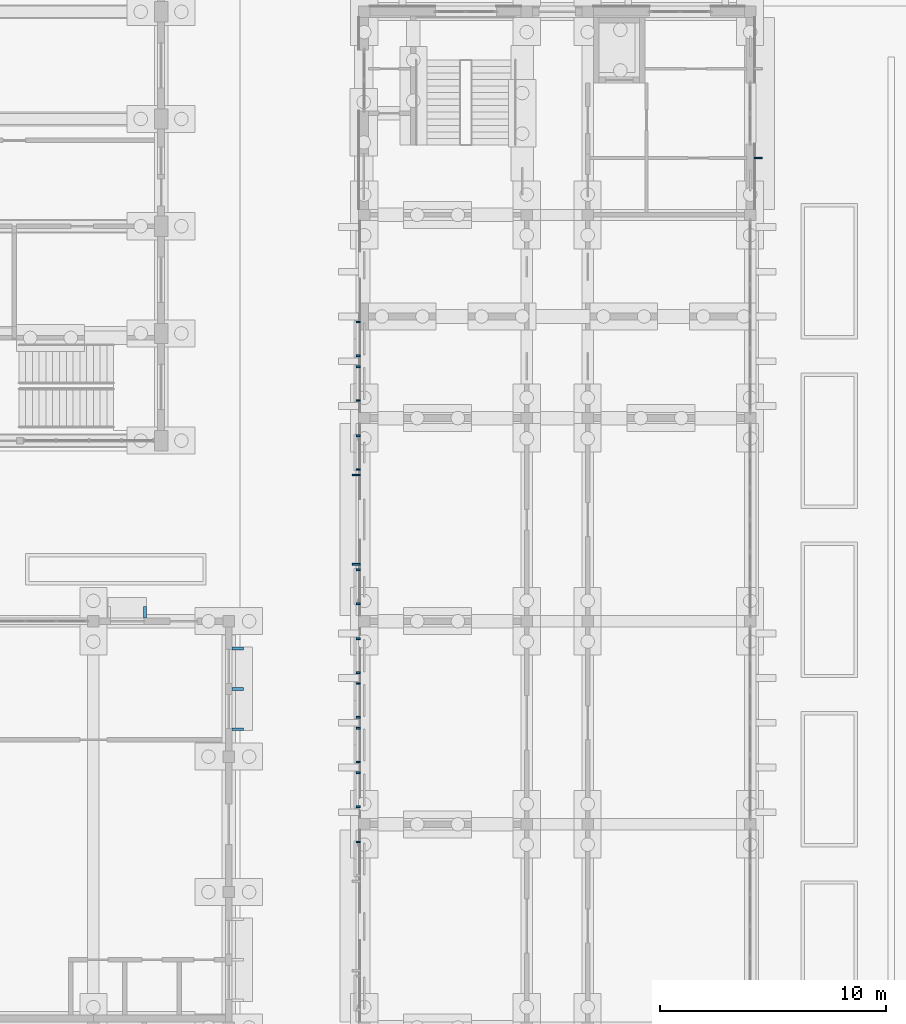
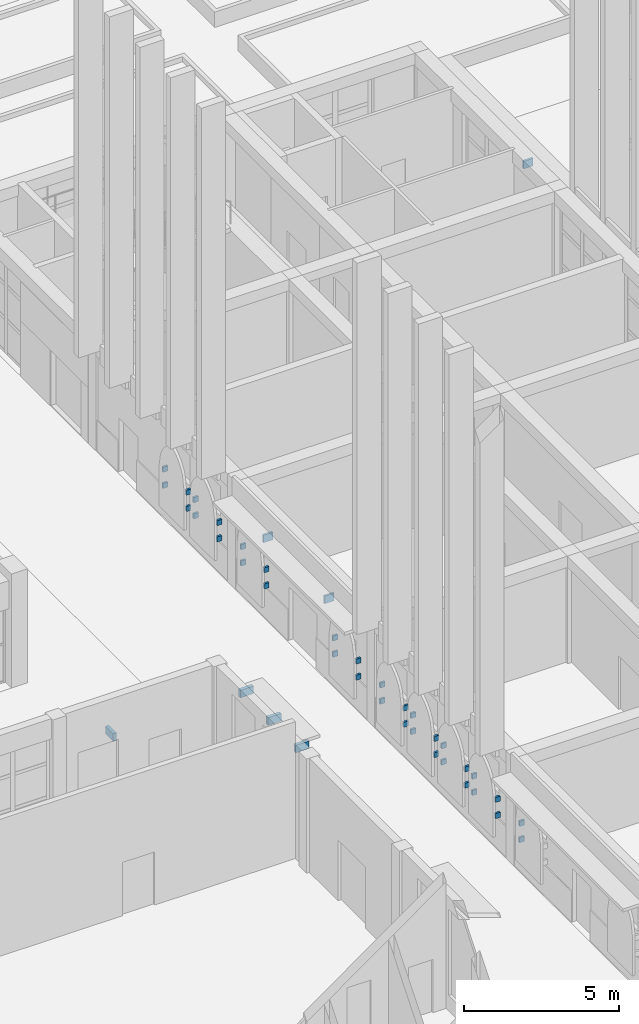
# One storey, part 80 of 161: 41 discrete accessories.
"""IFC4 building model written with IfcOpenShell, lengths in metres."""

from ifc_helpers import new_model, si_unit, direction, frame, origin, origin_2d, place, context, subcontext, project, spatial, rectangle, extrude, material, type_object, element, save


model = new_model("IFC4")

# Units and contexts
model_context = context("Model", 3, precision=1e-05, world=origin(), true_north=direction((0.0, 1.0)))
body_context = subcontext(model_context, "Body", "Model", "MODEL_VIEW")
ifc_project = project(units=[si_unit("LENGTHUNIT", "METRE"), si_unit("AREAUNIT", "SQUARE_METRE"), si_unit("VOLUMEUNIT", "CUBIC_METRE"), si_unit("PLANEANGLEUNIT", "RADIAN"), si_unit("MASSUNIT", "GRAM", prefix="KILO")], contexts=[model_context])

# Site, building, storey
site_placement = place(None, origin())
site = spatial("IfcSite", under=ifc_project, at=site_placement, CompositionType="ELEMENT")
building_placement = place(site_placement, origin())
building = spatial("IfcBuilding", under=site, at=building_placement, Name="Elbe Cascade School", CompositionType="ELEMENT")
storey_placement = place(building_placement, origin())
storey = spatial("IfcBuildingStorey", under=building, at=storey_placement, Name="L00", CompositionType="ELEMENT", Elevation=0.0)

# Discrete accessories
ifc_material_1 = material(Name="Steel S355J2, hot-dip galvanised", Category="steel")
discrete_accessory_type_1 = type_object("IfcDiscreteAccessoryType", Name="Bars envelope Bracket, galvanised steel", PredefinedType="BRACKET", material=ifc_material_1)
for number, where, z_axis, x_axis, name in (
    (1, (68.72998046875, 23.219970703125, 1.2998046875), (0.0, 0.0, 1.0), (0.0, 1.0, 0.0), "Bracket AC7 jali.w.2.br4rl"),
    (2, (68.72998046875, 23.219970703125, 1.93994140625), (0.0, 0.0, 1.0), (0.0, 1.0, 0.0), "Bracket AC7 jali.w.2.br4ru"),
    (3, (68.72998046875, 24.780029296875, 1.2998046875), (0.0, 0.0, 1.0), (0.0, 1.0, 0.0), "Bracket AC7 jali.w.3.br1ll"),
    (4, (68.72998046875, 24.780029296875, 1.93994140625), (0.0, 0.0, 1.0), (0.0, 1.0, 0.0), "Bracket AC7 jali.w.3.br1lu"),
    (5, (68.72998046875, 26.280029296875, 1.2998046875), (0.0, 0.0, 1.0), (0.0, 1.0, 0.0), "Bracket AC7 jali.w.3.br1rl"),
    (6, (68.72998046875, 26.280029296875, 1.93994140625), (0.0, 0.0, 1.0), (0.0, 1.0, 0.0), "Bracket AC7 jali.w.3.br1ru"),
    (7, (68.72998046875, 26.760009765625, 1.2998046875), (0.0, 0.0, 1.0), (0.0, 1.0, 0.0), "Bracket AC7 jali.w.3.br2ll"),
    (8, (68.72998046875, 26.760009765625, 1.93994140625), (0.0, 0.0, 1.0), (0.0, 1.0, 0.0), "Bracket AC7 jali.w.3.br2lu"),
    (9, (68.72998046875, 28.260009765625, 1.2998046875), (0.0, 0.0, 1.0), (0.0, 1.0, 0.0), "Bracket AC7 jali.w.3.br2rl"),
    (10, (68.72998046875, 28.260009765625, 1.93994140625), (0.0, 0.0, 1.0), (0.0, 1.0, 0.0), "Bracket AC7 jali.w.3.br2ru"),
    (11, (68.72998046875, 28.739990234375, 1.2998046875), (0.0, 0.0, 1.0), (0.0, 1.0, 0.0), "Bracket AC7 jali.w.3.br3ll"),
    (12, (68.72998046875, 28.739990234375, 1.93994140625), (0.0, 0.0, 1.0), (0.0, 1.0, 0.0), "Bracket AC7 jali.w.3.br3lu"),
    (13, (68.72998046875, 30.239990234375, 1.2998046875), (0.0, 0.0, 1.0), (0.0, 1.0, 0.0), "Bracket AC7 jali.w.3.br3rl"),
    (14, (68.72998046875, 30.239990234375, 1.93994140625), (0.0, 0.0, 1.0), (0.0, 1.0, 0.0), "Bracket AC7 jali.w.3.br3ru"),
    (15, (68.72998046875, 30.719970703125, 1.2998046875), (0.0, 0.0, 1.0), (0.0, 1.0, 0.0), "Bracket AC7 jali.w.3.br4ll"),
    (16, (68.72998046875, 30.719970703125, 1.93994140625), (0.0, 0.0, 1.0), (0.0, 1.0, 0.0), "Bracket AC7 jali.w.3.br4lu"),
    (17, (68.72998046875, 32.219970703125, 1.2998046875), (0.0, 0.0, 1.0), (0.0, 1.0, 0.0), "Bracket AC7 jali.w.3.br4rl"),
    (18, (68.72998046875, 32.219970703125, 1.93994140625), (0.0, 0.0, 1.0), (0.0, 1.0, 0.0), "Bracket AC7 jali.w.3.br4ru"),
):
    element("IfcDiscreteAccessory", number, at=place(storey_placement, frame(where, z_axis=z_axis, x_axis=x_axis)), inside=storey, type_object=discrete_accessory_type_1, Name=name, PredefinedType="BRACKET", context=body_context, shape_type="SweptSolid", body=[
        extrude(rectangle(XDim=0.080078125, YDim=0.179931640625, at=origin_2d()), origin(), (0.0, 0.0, 1.0), 0.199951171875),
    ])
for number, where, z_axis, x_axis, name in (
    (19, (68.64501953125, 35.52001953125, 3.330078125), (0.0, 0.0, 1.0), (0.0, 1.0, 0.0), "Bracket AC7 eave.w.4.br1"),
    (20, (68.64501953125, 39.47998046875, 3.330078125), (0.0, 0.0, 1.0), (0.0, 1.0, 0.0), "Bracket AC7 eave.w.4.br2"),
):
    element("IfcDiscreteAccessory", number, at=place(storey_placement, frame(where, z_axis=z_axis, x_axis=x_axis)), inside=storey, type_object=discrete_accessory_type_1, Name=name, PredefinedType="BRACKET", context=body_context, shape_type="SweptSolid", body=[
        extrude(rectangle(XDim=0.080078125, YDim=0.35009765625, at=origin_2d()), origin(), (0.0, 0.0, 1.0), 0.300048828125),
    ])
for number, where, z_axis, x_axis, name in (
    (21, (68.72998046875, 33.780029296875, 1.2998046875), (0.0, 0.0, 1.0), (0.0, 1.0, 0.0), "Bracket AC7 jali.w.4.br1ll"),
    (22, (68.72998046875, 33.780029296875, 1.93994140625), (0.0, 0.0, 1.0), (0.0, 1.0, 0.0), "Bracket AC7 jali.w.4.br1lu"),
    (23, (68.72998046875, 35.280029296875, 1.2998046875), (0.0, 0.0, 1.0), (0.0, 1.0, 0.0), "Bracket AC7 jali.w.4.br1rl"),
    (24, (68.72998046875, 35.280029296875, 1.93994140625), (0.0, 0.0, 1.0), (0.0, 1.0, 0.0), "Bracket AC7 jali.w.4.br1ru"),
    (25, (68.72998046875, 39.719970703125, 1.2998046875), (0.0, 0.0, 1.0), (0.0, 1.0, 0.0), "Bracket AC7 jali.w.4.br4ll"),
    (26, (68.72998046875, 39.719970703125, 1.93994140625), (0.0, 0.0, 1.0), (0.0, 1.0, 0.0), "Bracket AC7 jali.w.4.br4lu"),
    (27, (68.72998046875, 41.219970703125, 1.2998046875), (0.0, 0.0, 1.0), (0.0, 1.0, 0.0), "Bracket AC7 jali.w.4.br4rl"),
    (28, (68.72998046875, 41.219970703125, 1.93994140625), (0.0, 0.0, 1.0), (0.0, 1.0, 0.0), "Bracket AC7 jali.w.4.br4ru"),
    (29, (68.72998046875, 42.780029296875, 1.2998046875), (0.0, 0.0, 1.0), (0.0, 1.0, 0.0), "Bracket AC7 jali.w.5.br1ll"),
    (30, (68.72998046875, 42.780029296875, 1.93994140625), (0.0, 0.0, 1.0), (0.0, 1.0, 0.0), "Bracket AC7 jali.w.5.br1lu"),
    (31, (68.72998046875, 44.280029296875, 1.2998046875), (0.0, 0.0, 1.0), (0.0, 1.0, 0.0), "Bracket AC7 jali.w.5.br1rl"),
    (32, (68.72998046875, 44.280029296875, 1.93994140625), (0.0, 0.0, 1.0), (0.0, 1.0, 0.0), "Bracket AC7 jali.w.5.br1ru"),
    (33, (68.72998046875, 44.760009765625, 1.2998046875), (0.0, 0.0, 1.0), (0.0, 1.0, 0.0), "Bracket AC7 jali.w.5.br2ll"),
    (34, (68.72998046875, 44.760009765625, 1.93994140625), (0.0, 0.0, 1.0), (0.0, 1.0, 0.0), "Bracket AC7 jali.w.5.br2lu"),
    (35, (68.72998046875, 46.260009765625, 1.2998046875), (0.0, 0.0, 1.0), (0.0, 1.0, 0.0), "Bracket AC7 jali.w.5.br2rl"),
    (36, (68.72998046875, 46.260009765625, 1.93994140625), (0.0, 0.0, 1.0), (0.0, 1.0, 0.0), "Bracket AC7 jali.w.5.br2ru"),
):
    element("IfcDiscreteAccessory", number, at=place(storey_placement, frame(where, z_axis=z_axis, x_axis=x_axis)), inside=storey, type_object=discrete_accessory_type_1, Name=name, PredefinedType="BRACKET", context=body_context, shape_type="SweptSolid", body=[
        extrude(rectangle(XDim=0.080078125, YDim=0.179931640625, at=origin_2d()), origin(), (0.0, 0.0, 1.0), 0.199951171875),
    ])
discrete_accessory_1_placement = place(storey_placement, frame((86.455078125, 53.52001953125, 3.330078125), z_axis=(0.0, 0.0, 1.0), x_axis=(0.0, 1.0, 0.0)))
element("IfcDiscreteAccessory", 37, at=discrete_accessory_1_placement, inside=storey, type_object=discrete_accessory_type_1, Name="Bracket AC7 eave.e.6.br1", PredefinedType="BRACKET", context=body_context, shape_type="SweptSolid", body=[
    extrude(rectangle(XDim=0.080078125, YDim=0.35009765625, at=origin_2d()), origin(), (0.0, 0.0, 1.0), 0.300048828125),
])
ifc_material_2 = material(Name="Precast concrete C30/37", Category="concrete")
discrete_accessory_type_2 = type_object("IfcDiscreteAccessoryType", Name="Dining chhajja bracket", PredefinedType="BRACKET", material=ifc_material_2)
for number, where, z_axis, x_axis, name in (
    (38, (63.39990234375, 28.2099609375, 3.75), (0.0, 0.0, 1.0), (1.0, 0.0, 0.0), "Dining chhajja bracket AC9"),
    (39, (63.39990234375, 30.0, 3.75), (0.0, 0.0, 1.0), (1.0, 0.0, 0.0), "Dining chhajja bracket AC9"),
    (40, (63.39990234375, 31.7900390625, 3.75), (0.0, 0.0, 1.0), (1.0, 0.0, 0.0), "Dining chhajja bracket AC9"),
):
    element("IfcDiscreteAccessory", number, at=place(storey_placement, frame(where, z_axis=z_axis, x_axis=x_axis)), inside=storey, type_object=discrete_accessory_type_2, Name=name, PredefinedType="BRACKET", context=body_context, shape_type="SweptSolid", body=[
        extrude(rectangle(XDim=0.5, YDim=0.1201171875, at=origin_2d()), origin(), (0.0, 0.0, 1.0), 0.300048828125),
    ])
discrete_accessory_2_placement = place(storey_placement, frame((59.2900390625, 33.39990234375, 2.5498046875), z_axis=(0.0, 0.0, 1.0), x_axis=(1.0, 0.0, 0.0)))
element("IfcDiscreteAccessory", 41, at=discrete_accessory_2_placement, inside=storey, type_object=discrete_accessory_type_2, Name="Dining chhajja bracket AC9", PredefinedType="BRACKET", context=body_context, shape_type="SweptSolid", body=[
    extrude(rectangle(XDim=0.1201171875, YDim=0.5, at=origin_2d()), origin(), (0.0, 0.0, 1.0), 0.300048828125),
])

save(model, "model.ifc")
